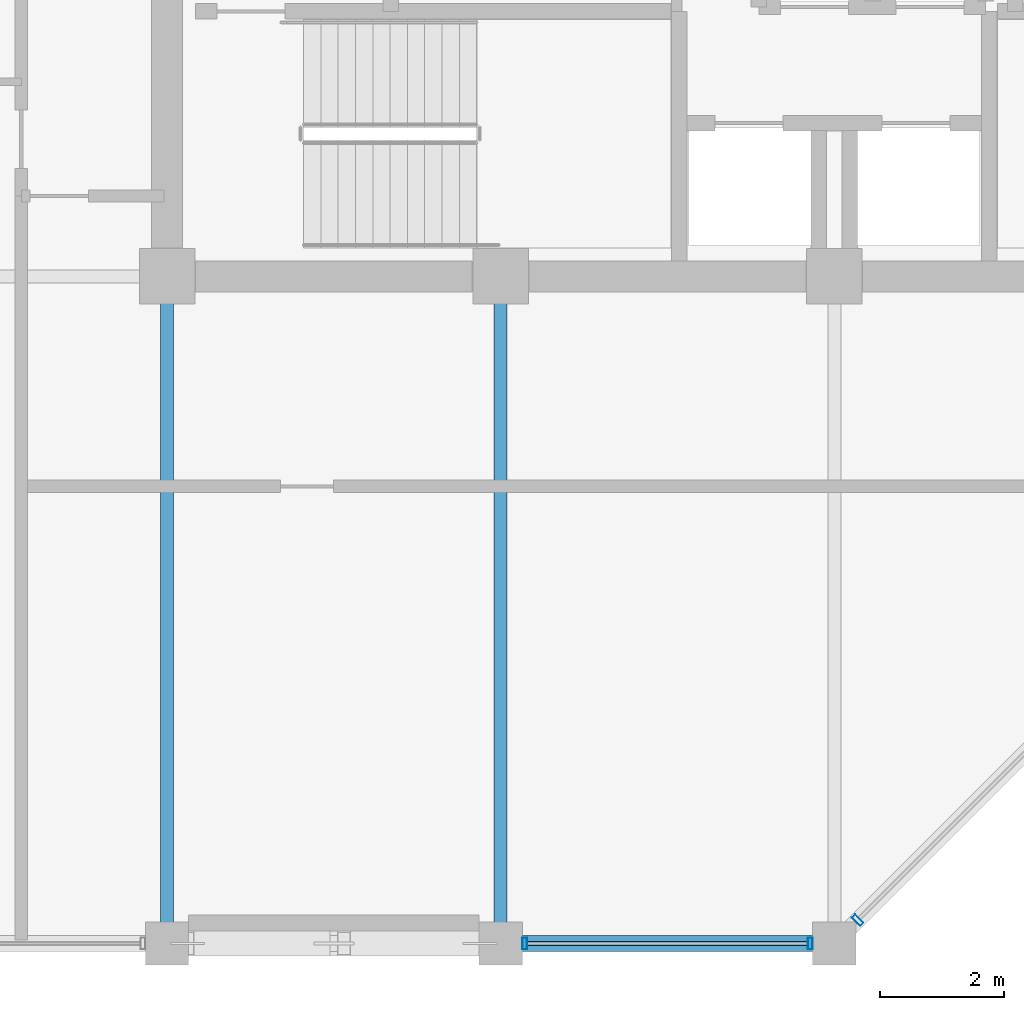
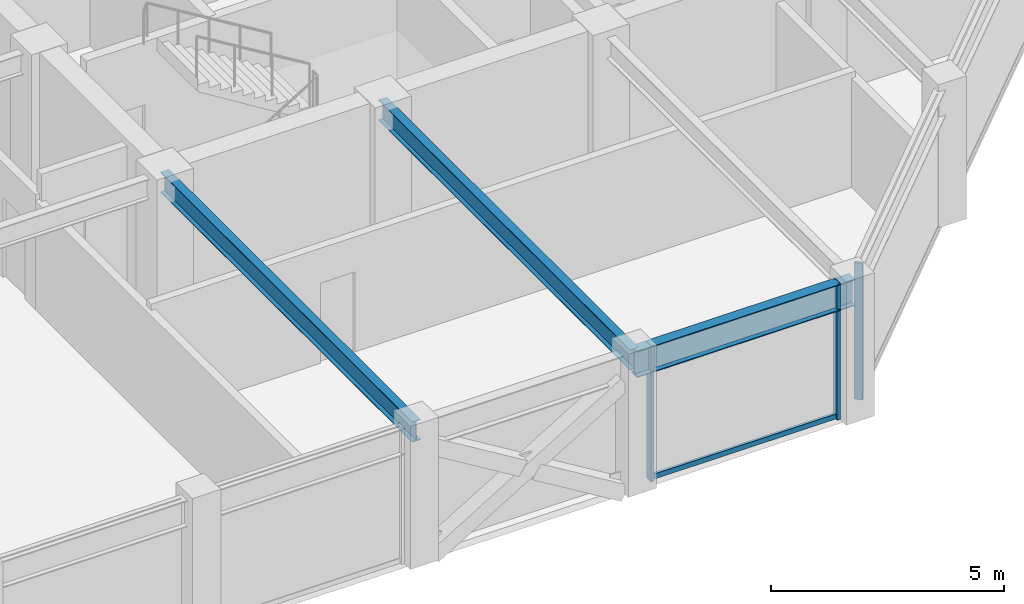
# One storey, part 6 of 31: 4 members, 3 beams, 2 elements without a shape of their own.
"""IFC4 building model written with IfcOpenShell, lengths in metres."""

from ifc_helpers import new_model, si_unit, direction, frame, origin, origin_2d, place, context, subcontext, project, spatial, hollow_rectangle, i_section, extrude, material, layer, layer_set, material_profile, profile_set, type_object, element, aggregate, save


model = new_model("IFC4")

# Units and contexts
model_context = context("Model", 3, precision=1e-05, world=origin(), true_north=direction((0.0, 1.0)))
body_context = subcontext(model_context, "Body", "Model", "MODEL_VIEW")
ifc_project = project(units=[si_unit("LENGTHUNIT", "METRE"), si_unit("AREAUNIT", "SQUARE_METRE"), si_unit("VOLUMEUNIT", "CUBIC_METRE"), si_unit("PLANEANGLEUNIT", "RADIAN"), si_unit("MASSUNIT", "GRAM", prefix="KILO")], contexts=[model_context])

# Site, building, storey
site_placement = place(None, origin())
site = spatial("IfcSite", under=ifc_project, at=site_placement, CompositionType="ELEMENT")
building_placement = place(site_placement, origin())
building = spatial("IfcBuilding", under=site, at=building_placement, Name="Surkhivell Harbour Commons", CompositionType="ELEMENT")
storey_placement = place(building_placement, frame((0.0, 0.0, 285.0)))
storey = spatial("IfcBuildingStorey", under=building, at=storey_placement, Name="L74", CompositionType="ELEMENT", Elevation=285.0)

# Beams
ifc_material_1 = material(Name="Steel S355", Category="steel")
ifc_material_profile_1 = material_profile(ifc_material_1, i_section(OverallWidth=0.2099609375, OverallDepth=0.537109375, WebThickness=0.0107421875, FlangeThickness=0.017333984375, at=origin_2d()), Name="UB533x210x101")
ifc_profile_set_1 = profile_set([ifc_material_profile_1], Name="Steel S355")
beam_type_1 = type_object("IfcBeamType", Name="BM-GRD-533B", PredefinedType="BEAM", material=ifc_profile_set_1)
for number, where, z_axis, x_axis, name in (
    (1, (-10.800048828125, -21.60009765625, 3.301513671875), (0.0, 1.0, 0.0), (-1.0, 0.0, 0.0), "L74 Floor Girder (-10.8,-21.6)"),
    (2, (-5.39990234375, -21.60009765625, 3.301513671875), (0.0, 1.0, 0.0), (-1.0, 0.0, 0.0), "L74 Floor Girder (-5.4,-21.6)"),
):
    element("IfcBeam", number, at=place(storey_placement, frame(where, z_axis=z_axis, x_axis=x_axis)), inside=storey, type_object=beam_type_1, Name=name, PredefinedType="BEAM", context=body_context, shape_type="SweptSolid", body=[
        extrude(i_section(OverallWidth=0.2099609375, OverallDepth=0.537109375, WebThickness=0.0107421875, FlangeThickness=0.017333984375, at=origin_2d()), origin(), (0.0, 0.0, 1.0), 10.800048828125),
    ])
ifc_material_profile_2 = material_profile(ifc_material_1, i_section(OverallWidth=0.256103515625, OverallDepth=0.693115234375, WebThickness=0.014404296875, FlangeThickness=0.023681640625, at=origin_2d()), Name="UB686x254x170")
ifc_profile_set_2 = profile_set([ifc_material_profile_2], Name="Steel S355")
beam_type_2 = type_object("IfcBeamType", Name="BM-SPN-686", PredefinedType="SPANDREL", material=ifc_profile_set_2)
beam_placement = place(storey_placement, frame((-5.39990234375, -21.60009765625, 3.223388671875), z_axis=(1.0, 0.0, 0.0), x_axis=(0.0, 1.0, 0.0)))
element("IfcBeam", 3, at=beam_placement, inside=storey, type_object=beam_type_2, Name="L74 Tube Spandrel (-5.4,-21.6)", PredefinedType="SPANDREL", context=body_context, shape_type="SweptSolid", body=[
    extrude(i_section(OverallWidth=0.256103515625, OverallDepth=0.693115234375, WebThickness=0.014404296875, FlangeThickness=0.023681640625, at=origin_2d()), origin(), (0.0, 0.0, 1.0), 5.39990234375),
])

# Curtain wall, members
ifc_material_2 = material(Name="Anodised pale-metal aluminium and insulated glazing", Category="aluminium")
ifc_layer = layer(ifc_material_2, 0.175048828125)
ifc_layer_set = layer_set([ifc_layer], Name="Anodised pale-metal aluminium and insulated glazing")
curtain_wall_type = type_object("IfcCurtainWallType", Name="CW-SYS-Z4", PredefinedType="NOTDEFINED", material=ifc_layer_set)
curtain_wall_1_placement = place(storey_placement, origin())
curtain_wall_1 = element("IfcCurtainWall", 4, at=curtain_wall_1_placement, inside=storey, type_object=curtain_wall_type, Name="L74 Curtain Wall CW-L74-E00S2", PredefinedType="NOTDEFINED")
ifc_material_3 = material(Name="Anodised pale-metal aluminium alloy 6063-T6", Category="aluminium")
ifc_material_profile_3 = material_profile(ifc_material_3, hollow_rectangle(XDim=0.074951171875, YDim=0.18994140625, WallThickness=0.00390625, at=origin_2d()), Name="ALU-MULL-75x190")
ifc_profile_set_3 = profile_set([ifc_material_profile_3], Name="Anodised pale-metal aluminium alloy 6063-T6")
member_type_1 = type_object("IfcMemberType", Name="CWM-190", PredefinedType="MULLION", material=ifc_profile_set_3)
member_1_placement = place(storey_placement, frame((-5.010498046875, -21.60009765625, 0.0), z_axis=(0.0, 0.0, 1.0), x_axis=(1.0, 0.0, 0.0)))
member_1 = element("IfcMember", 5, at=member_1_placement, type_object=member_type_1, Name="CW-Z4 mullion 1", PredefinedType="MULLION", context=body_context, shape_type="SweptSolid", body=[
    extrude(hollow_rectangle(XDim=0.074951171875, YDim=0.18994140625, WallThickness=0.00390625, at=origin_2d()), origin(), (0.0, 0.0, 1.0), 3.570068359375),
])
member_2_placement = place(storey_placement, frame((-0.389404296875, -21.60009765625, 0.0), z_axis=(0.0, 0.0, 1.0), x_axis=(1.0, 0.0, 0.0)))
member_2 = element("IfcMember", 6, at=member_2_placement, type_object=member_type_1, Name="CW-Z4 mullion 2", PredefinedType="MULLION", context=body_context, shape_type="SweptSolid", body=[
    extrude(hollow_rectangle(XDim=0.074951171875, YDim=0.18994140625, WallThickness=0.00390625, at=origin_2d()), origin(), (0.0, 0.0, 1.0), 3.570068359375),
])

# Curtain wall, member
curtain_wall_2_placement = place(storey_placement, origin())
curtain_wall_2 = element("IfcCurtainWall", 7, at=curtain_wall_2_placement, inside=storey, type_object=curtain_wall_type, Name="L74 Curtain Wall CW-L74-E01", PredefinedType="NOTDEFINED")
member_3_placement = place(storey_placement, frame((0.378173828125, -21.221923828125, 0.0), z_axis=(0.0, 0.0, 1.0), x_axis=(0.707106781187, 0.707106781187, 0.0)))
member_3 = element("IfcMember", 8, at=member_3_placement, type_object=member_type_1, Name="CW-Z4 mullion 1", PredefinedType="MULLION", context=body_context, shape_type="SweptSolid", body=[
    extrude(hollow_rectangle(XDim=0.074951171875, YDim=0.18994140625, WallThickness=0.00390625, at=origin_2d()), origin(), (0.0, 0.0, 1.0), 3.570068359375),
])
aggregate(curtain_wall_2, [member_3])

# Member
ifc_material_4 = material(Name="Champagne anodised aluminium alloy 6063-T6", Category="aluminium")
ifc_material_profile_4 = material_profile(ifc_material_4, hollow_rectangle(XDim=0.070068359375, YDim=0.1298828125, WallThickness=0.00341796875, at=origin_2d()), Name="ALU-TRAN-70x130")
ifc_profile_set_4 = profile_set([ifc_material_profile_4], Name="Champagne anodised aluminium alloy 6063-T6")
member_type_2 = type_object("IfcMemberType", Name="CWT-130", PredefinedType="USERDEFINED", material=ifc_profile_set_4)
member_4_placement = place(storey_placement, frame((-4.972900390625, -21.60009765625, 0.06494140625), z_axis=(1.0, 0.0, 0.0), x_axis=(0.0, 1.0, 0.0)))
member_4 = element("IfcMember", 9, at=member_4_placement, type_object=member_type_2, Name="CW-Z4 transom 1.1", ObjectType="TRANSOM", PredefinedType="USERDEFINED", context=body_context, shape_type="SweptSolid", body=[
    extrude(hollow_rectangle(XDim=0.070068359375, YDim=0.1298828125, WallThickness=0.00341796875, at=origin_2d()), origin(), (0.0, 0.0, 1.0), 4.5458984375),
])

aggregate(curtain_wall_1, [member_1, member_2, member_4])

save(model, "model.ifc")
